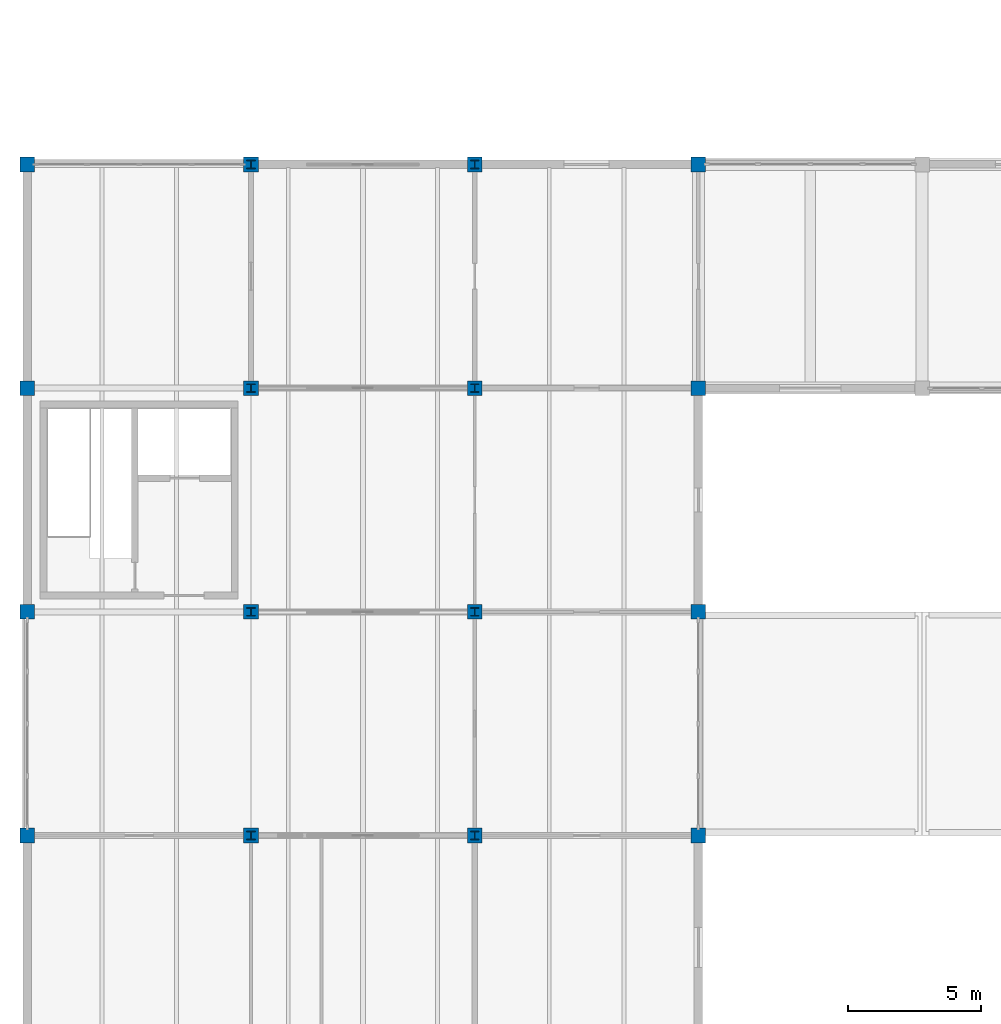
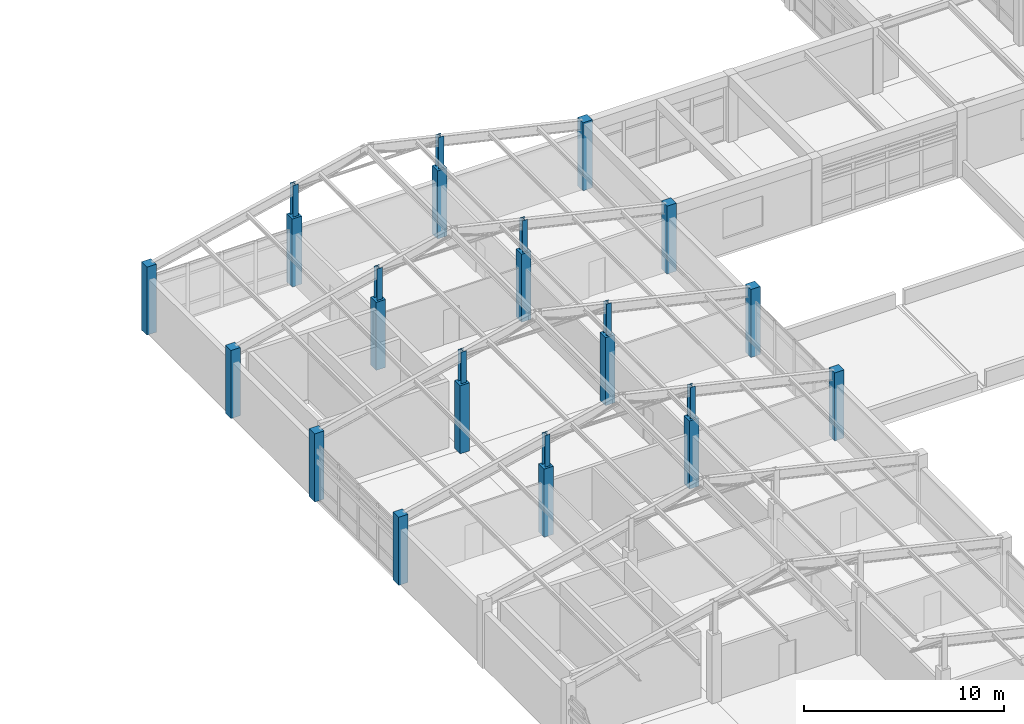
# One storey, part 2 of 40: 24 columns.
"""IFC4 building model written with IfcOpenShell, lengths in metres."""

from ifc_helpers import new_model, si_unit, direction, frame, origin, origin_2d, place, context, subcontext, project, spatial, rectangle, i_section, extrude, material, material_profile, profile_set, type_object, element, save


model = new_model("IFC4")

# Units and contexts
model_context = context("Model", 3, precision=1e-05, world=origin(), true_north=direction((0.0, 1.0)))
body_context = subcontext(model_context, "Body", "Model", "MODEL_VIEW")
ifc_project = project(units=[si_unit("LENGTHUNIT", "METRE"), si_unit("AREAUNIT", "SQUARE_METRE"), si_unit("VOLUMEUNIT", "CUBIC_METRE"), si_unit("PLANEANGLEUNIT", "RADIAN"), si_unit("MASSUNIT", "GRAM", prefix="KILO")], contexts=[model_context])

# Site, building, storey
site_placement = place(None, origin())
site = spatial("IfcSite", under=ifc_project, at=site_placement, CompositionType="ELEMENT")
building_placement = place(site_placement, origin())
building = spatial("IfcBuilding", under=site, at=building_placement, Name="Porcellanite Civic Hall", CompositionType="ELEMENT")
storey_placement = place(building_placement, frame((0.0, 0.0, 19.080078125)))
storey = spatial("IfcBuildingStorey", under=building, at=storey_placement, Name="L04", CompositionType="ELEMENT", Elevation=19.080078125)

# Columns
ifc_material_1 = material(Name="Concrete N50 (50 MPa)", Category="concrete")
ifc_material_profile_1 = material_profile(ifc_material_1, rectangle(XDim=0.550048828125, YDim=0.550048828125, at=origin_2d()), Name="RC-550x550")
ifc_profile_set_1 = profile_set([ifc_material_profile_1], Name="Concrete N50 (50 MPa)")
column_type_1 = type_object("IfcColumnType", Name="COL-550", PredefinedType="COLUMN", material=ifc_profile_set_1)
for number, where, z_axis, x_axis, name in (
    (1, (8.39990234375, 50.39990234375, 0.0), (0.0, 0.0, 1.0), (1.0, 0.0, 0.0), "Column L04 1-6"),
    (2, (8.39990234375, 58.800048828125, 0.0), (0.0, 0.0, 1.0), (1.0, 0.0, 0.0), "Column L04 1-7"),
    (3, (8.39990234375, 67.199951171875, 0.0), (0.0, 0.0, 1.0), (1.0, 0.0, 0.0), "Column L04 1-8"),
    (4, (8.39990234375, 75.60009765625, 0.0), (0.0, 0.0, 1.0), (1.0, 0.0, 0.0), "Column L04 1-9"),
    (5, (16.800048828125, 50.39990234375, 0.0), (0.0, 0.0, 1.0), (1.0, 0.0, 0.0), "Column L04 2-6"),
    (6, (16.800048828125, 58.800048828125, 0.0), (0.0, 0.0, 1.0), (1.0, 0.0, 0.0), "Column L04 2-7"),
    (7, (16.800048828125, 67.199951171875, 0.0), (0.0, 0.0, 1.0), (1.0, 0.0, 0.0), "Column L04 2-8"),
    (8, (16.800048828125, 75.60009765625, 0.0), (0.0, 0.0, 1.0), (1.0, 0.0, 0.0), "Column L04 2-9"),
    (9, (25.199951171875, 50.39990234375, 0.0), (0.0, 0.0, 1.0), (1.0, 0.0, 0.0), "Column L04 3-6"),
    (10, (25.199951171875, 58.800048828125, 0.0), (0.0, 0.0, 1.0), (1.0, 0.0, 0.0), "Column L04 3-7"),
    (11, (25.199951171875, 67.199951171875, 0.0), (0.0, 0.0, 1.0), (1.0, 0.0, 0.0), "Column L04 3-8"),
    (12, (25.199951171875, 75.60009765625, 0.0), (0.0, 0.0, 1.0), (1.0, 0.0, 0.0), "Column L04 3-9"),
    (13, (33.60009765625, 50.39990234375, 0.0), (0.0, 0.0, 1.0), (1.0, 0.0, 0.0), "Column L04 4-6"),
    (14, (33.60009765625, 58.800048828125, 0.0), (0.0, 0.0, 1.0), (1.0, 0.0, 0.0), "Column L04 4-7"),
    (15, (33.60009765625, 67.199951171875, 0.0), (0.0, 0.0, 1.0), (1.0, 0.0, 0.0), "Column L04 4-8"),
    (16, (33.60009765625, 75.60009765625, 0.0), (0.0, 0.0, 1.0), (1.0, 0.0, 0.0), "Column L04 4-9"),
):
    element("IfcColumn", number, at=place(storey_placement, frame(where, z_axis=z_axis, x_axis=x_axis)), inside=storey, type_object=column_type_1, Name=name, PredefinedType="COLUMN", context=body_context, shape_type="SweptSolid", body=[
        extrude(rectangle(XDim=0.550048828125, YDim=0.550048828125, at=origin_2d()), origin(), (0.0, 0.0, 1.0), 4.159912109375),
    ])
ifc_material_2 = material(Name="Steel Grade 350", Category="steel")
ifc_material_profile_2 = material_profile(ifc_material_2, i_section(OverallWidth=0.304931640625, OverallDepth=0.30810546875, WebThickness=0.010009765625, FlangeThickness=0.015380859375, FilletRadius=0.0166015625, at=origin_2d()), Name="310UC96.8")
ifc_profile_set_2 = profile_set([ifc_material_profile_2], Name="Steel Grade 350")
column_type_2 = type_object("IfcColumnType", Name="SCOL-310UC97", PredefinedType="COLUMN", material=ifc_profile_set_2)
for number, where, z_axis, x_axis, name in (
    (17, (16.800048828125, 50.39990234375, 4.159912109375), (0.0, 0.0, 1.0), (1.0, 0.0, 0.0), "Committee roof post 2-6"),
    (18, (25.199951171875, 50.39990234375, 4.159912109375), (0.0, 0.0, 1.0), (1.0, 0.0, 0.0), "Committee roof post 3-6"),
    (19, (16.800048828125, 58.800048828125, 4.159912109375), (0.0, 0.0, 1.0), (1.0, 0.0, 0.0), "Committee roof post 2-7"),
    (20, (25.199951171875, 58.800048828125, 4.159912109375), (0.0, 0.0, 1.0), (1.0, 0.0, 0.0), "Committee roof post 3-7"),
    (21, (16.800048828125, 67.199951171875, 4.159912109375), (0.0, 0.0, 1.0), (1.0, 0.0, 0.0), "Committee roof post 2-8"),
    (22, (25.199951171875, 67.199951171875, 4.159912109375), (0.0, 0.0, 1.0), (1.0, 0.0, 0.0), "Committee roof post 3-8"),
    (23, (16.800048828125, 75.60009765625, 4.159912109375), (0.0, 0.0, 1.0), (1.0, 0.0, 0.0), "Committee roof post 2-9"),
    (24, (25.199951171875, 75.60009765625, 4.159912109375), (0.0, 0.0, 1.0), (1.0, 0.0, 0.0), "Committee roof post 3-9"),
):
    element("IfcColumn", number, at=place(storey_placement, frame(where, z_axis=z_axis, x_axis=x_axis)), inside=storey, type_object=column_type_2, Name=name, PredefinedType="COLUMN", context=body_context, shape_type="SweptSolid", body=[
        extrude(i_section(OverallWidth=0.304931640625, OverallDepth=0.30810546875, WebThickness=0.010009765625, FlangeThickness=0.015380859375, FilletRadius=0.0166015625, at=origin_2d()), origin(), (0.0, 0.0, 1.0), 1.925048828125),
    ])

save(model, "model.ifc")
